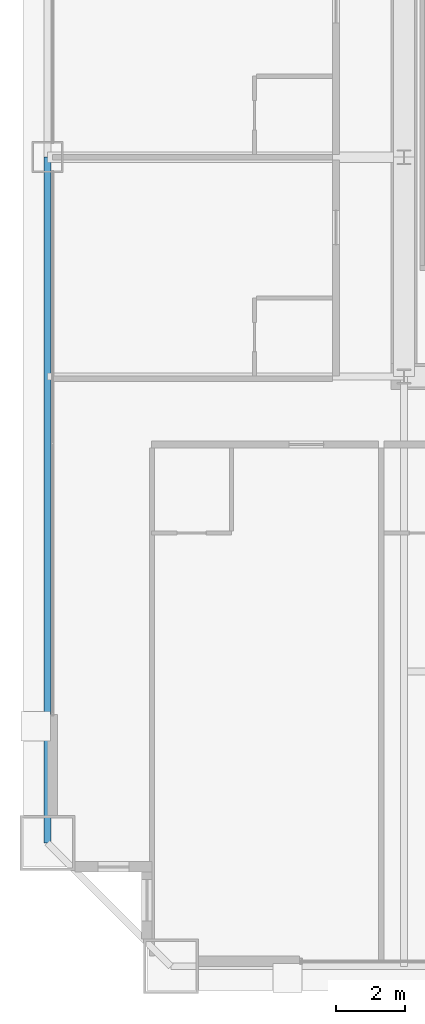
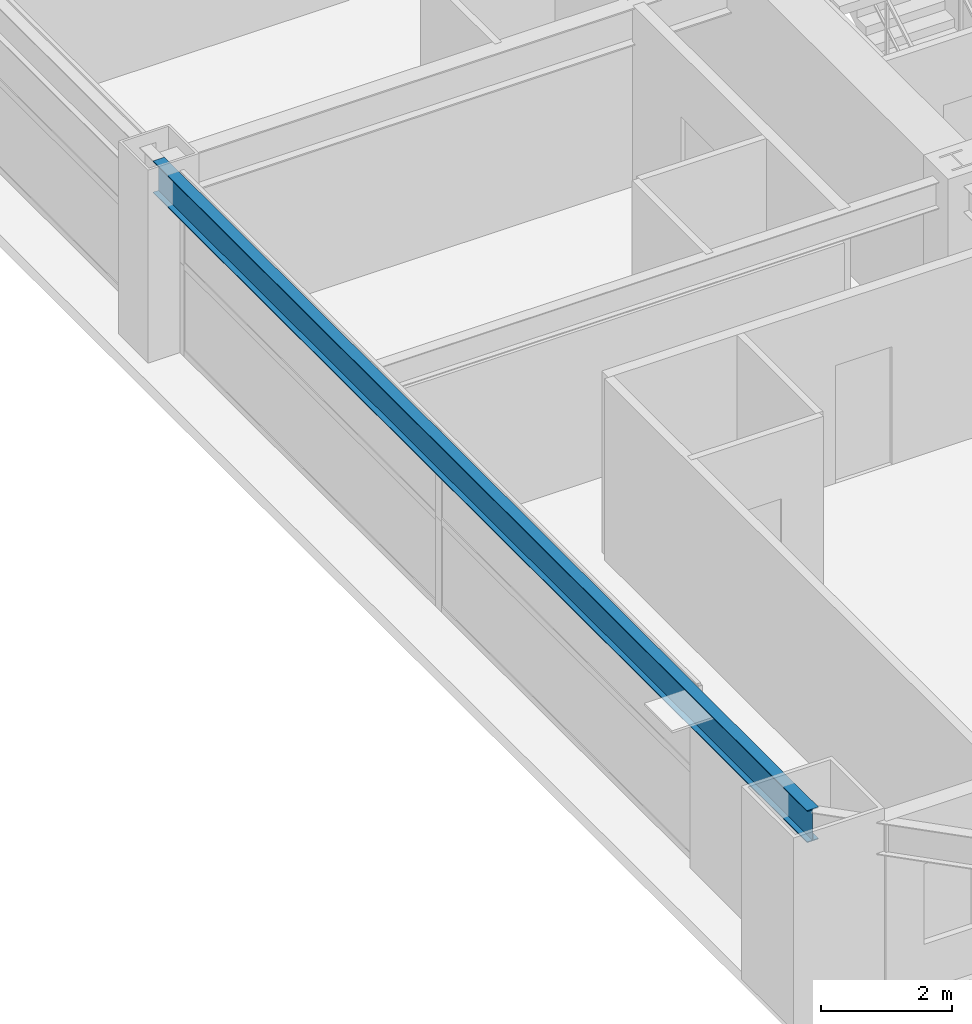
# One storey, part 6 of 38: 1 beam.
"""IFC4 building model written with IfcOpenShell, lengths in metres."""

from ifc_helpers import new_model, si_unit, direction, frame, origin, origin_2d, place, context, subcontext, project, spatial, i_section, extrude, source, transform, mapped, material, material_profile, profile_set, type_object, element, save


model = new_model("IFC4")

# Units and contexts
model_context = context("Model", 3, precision=1e-05, world=origin(), true_north=direction((0.0, 1.0)))
body_context = subcontext(model_context, "Body", "Model", "MODEL_VIEW")
ifc_project = project(units=[si_unit("LENGTHUNIT", "METRE"), si_unit("AREAUNIT", "SQUARE_METRE"), si_unit("VOLUMEUNIT", "CUBIC_METRE"), si_unit("PLANEANGLEUNIT", "RADIAN"), si_unit("MASSUNIT", "GRAM", prefix="KILO"), si_unit("THERMODYNAMICTEMPERATUREUNIT", "KELVIN"), si_unit("POWERUNIT", "WATT")], contexts=[model_context])

# Site, building, storey
site_placement = place(None, origin())
site = spatial("IfcSite", under=ifc_project, at=site_placement, CompositionType="ELEMENT")
building_placement = place(site_placement, origin())
building = spatial("IfcBuilding", under=site, at=building_placement, Name="Yuzanri Waterfront Tower", CompositionType="ELEMENT")
storey_placement = place(building_placement, frame((0.0, 0.0, 90.199951171875)))
storey = spatial("IfcBuildingStorey", under=building, at=storey_placement, Name="L23", CompositionType="ELEMENT", Elevation=90.199951171875)

# Beam
ifc_material = material(Name="Steel Q355B", Category="steel")
ifc_material_profile = material_profile(ifc_material, i_section(OverallWidth=0.199951171875, OverallDepth=0.60009765625, WebThickness=0.010986328125, FlangeThickness=0.01708984375, at=origin_2d()), Name="HN 600x200x11x17")
ifc_profile_set = profile_set([ifc_material_profile], Name="Steel Q355B")
beam_type = type_object("IfcBeamType", Name="Perimeter Spandrel Q355B HN 600x200", PredefinedType="SPANDREL", material=ifc_profile_set)
shared_shape = source(origin(), body_context, "Body", "SweptSolid", [
    extrude(i_section(OverallWidth=0.199951171875, OverallDepth=0.60009765625, WebThickness=0.010986328125, FlangeThickness=0.01708984375, at=origin_2d()), origin(), (0.0, 0.0, 1.0), 20.0),
])
beam_placement = place(storey_placement, frame((13.39990234375, 25.800048828125, 3.080078125), z_axis=(0.0, -1.0, 0.0), x_axis=(1.0, 0.0, 0.0)))
element("IfcBeam", 1, at=beam_placement, inside=storey, type_object=beam_type, Name="L23 Perimeter Spandrel W2-W1", PredefinedType="SPANDREL", context=body_context, shape_type="MappedRepresentation", body=[
    mapped(shared_shape, transform((0.0, 0.0, 0.0), scale=1.0)),
])

save(model, "model.ifc")
